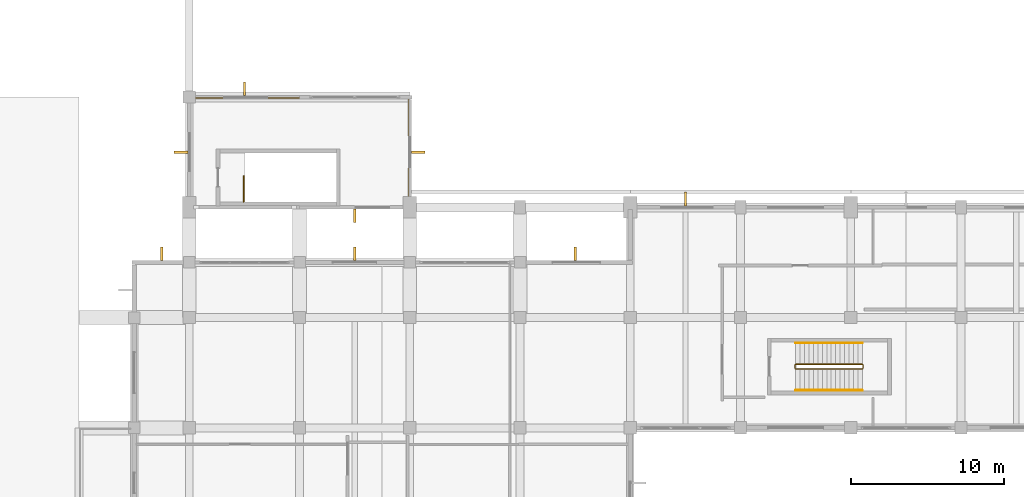
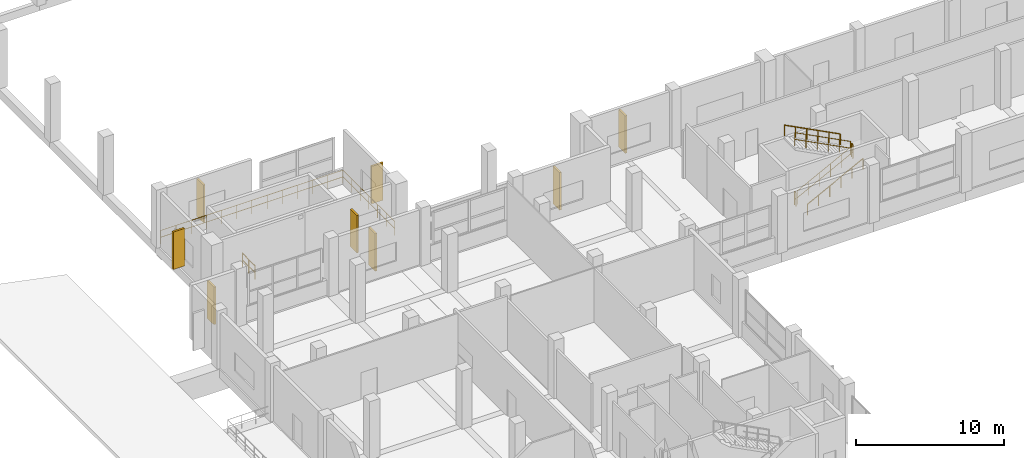
# One storey, part 138 of 140: 8 railings, 8 shading devices.
"""IFC4 building model written with IfcOpenShell, lengths in metres."""

from ifc_helpers import new_model, si_unit, direction, frame, origin, origin_2d, place, context, subcontext, project, spatial, rectangle, circle, extrude, material, type_object, element, save


model = new_model("IFC4")

# Units and contexts
model_context = context("Model", 3, precision=1e-05, world=origin(), true_north=direction((0.0, 1.0)))
body_context = subcontext(model_context, "Body", "Model", "MODEL_VIEW")
ifc_project = project(units=[si_unit("LENGTHUNIT", "METRE"), si_unit("AREAUNIT", "SQUARE_METRE"), si_unit("VOLUMEUNIT", "CUBIC_METRE"), si_unit("PLANEANGLEUNIT", "RADIAN"), si_unit("MASSUNIT", "GRAM", prefix="KILO")], contexts=[model_context])

# Site, building, storey
site_placement = place(None, origin())
site = spatial("IfcSite", under=ifc_project, at=site_placement, CompositionType="ELEMENT")
building_placement = place(site_placement, origin())
building = spatial("IfcBuilding", under=site, at=building_placement, Name="Seraya Terrace Polytechnic", CompositionType="ELEMENT")
storey_placement = place(building_placement, frame((0.0, 0.0, 9.60009765625)))
storey = spatial("IfcBuildingStorey", under=building, at=storey_placement, Name="L02", CompositionType="ELEMENT", Elevation=9.60009765625)

# Shading devices
ifc_material_1 = material(Name="Precast concrete C40/50", Category="concrete")
shading_device_type = type_object("IfcShadingDeviceType", Name="BS-F1", PredefinedType="JALOUSIE", material=ifc_material_1)
for number, where, z_axis, x_axis, name in (
    (1, (12.60009765625, 76.169921875, 0.449951171875), (0.0, 0.0, 1.0), (0.0, 1.0, 0.0), "Precast concrete brise-soleil fin L02"),
    (2, (25.199951171875, 76.169921875, 0.449951171875), (0.0, 0.0, 1.0), (0.0, 1.0, 0.0), "Precast concrete brise-soleil fin L02"),
    (3, (39.60009765625, 76.169921875, 0.449951171875), (0.0, 0.0, 1.0), (0.0, 1.0, 0.0), "Precast concrete brise-soleil fin L02"),
    (4, (46.800048828125, 79.75, 0.449951171875), (0.0, 0.0, 1.0), (0.0, 1.0, 0.0), "Precast concrete brise-soleil fin L02"),
    (5, (29.35009765625, 82.800048828125, 0.449951171875), (0.0, 0.0, 1.0), (1.0, 0.0, 0.0), "Precast concrete brise-soleil fin L02"),
    (6, (25.199951171875, 78.64990234375, 0.449951171875), (0.0, 0.0, 1.0), (0.0, -1.0, 0.0), "Precast concrete brise-soleil fin L02"),
    (7, (13.85009765625, 82.800048828125, 0.449951171875), (0.0, 0.0, 1.0), (-1.0, 0.0, 0.0), "Precast concrete brise-soleil fin L02"),
    (8, (18.0, 86.949951171875, 0.449951171875), (0.0, 0.0, 1.0), (0.0, 1.0, 0.0), "Precast concrete brise-soleil fin L02"),
):
    element("IfcShadingDevice", number, at=place(storey_placement, frame(where, z_axis=z_axis, x_axis=x_axis)), inside=storey, type_object=shading_device_type, Name=name, PredefinedType="JALOUSIE", context=body_context, shape_type="SweptSolid", body=[
        extrude(rectangle(XDim=0.89990234375, YDim=0.14990234375, at=origin_2d()), origin(), (0.0, 0.0, 1.0), 3.10009765625),
    ])

# Railings
ifc_material_2 = material(Name="Steel S355J2", Category="steel")
railing_type_1 = type_object("IfcRailingType", Name="GR-02", PredefinedType="GUARDRAIL", material=ifc_material_2)
railing_1_placement = place(storey_placement, frame((54.0, 68.64990234375, 0.14990234375)))
element("IfcRailing", 9, at=railing_1_placement, inside=storey, type_object=railing_type_1, Name="L02 ST-06 stair guard 1", PredefinedType="GUARDRAIL", context=body_context, shape_type="SweptSolid", body=[
    extrude(circle(Radius=0.02392578125, at=origin_2d()), frame((0.0, 0.0, 1.10595703125), z_axis=(0.888221851817, 0.0, 0.459414782038), x_axis=(0.0, 1.0, 0.0)), (0.0, 0.0, 1.0), 4.8974609375),
    extrude(circle(Radius=0.02392578125, at=origin_2d()), frame((0.0, 0.0, 0.550048828125), z_axis=(0.888221851817, 0.0, 0.459414782038), x_axis=(0.0, 1.0, 0.0)), (0.0, 0.0, 1.0), 4.8974609375),
    extrude(circle(Radius=0.02099609375, at=origin_2d()), origin(), (0.0, 0.0, 1.0), 1.081787109375),
    extrude(circle(Radius=0.02099609375, at=origin_2d()), frame((0.8701171875, 0.0, 0.449951171875)), (0.0, 0.0, 1.0), 1.081787109375),
    extrude(circle(Radius=0.02099609375, at=origin_2d()), frame((1.739990234375, 0.0, 0.89990234375)), (0.0, 0.0, 1.0), 1.081787109375),
    extrude(circle(Radius=0.02099609375, at=origin_2d()), frame((2.610107421875, 0.0, 1.35009765625)), (0.0, 0.0, 1.0), 1.081787109375),
    extrude(circle(Radius=0.02099609375, at=origin_2d()), frame((3.47998046875, 0.0, 1.800048828125)), (0.0, 0.0, 1.0), 1.081787109375),
    extrude(circle(Radius=0.02099609375, at=origin_2d()), frame((4.35009765625, 0.0, 2.25)), (0.0, 0.0, 1.0), 1.081787109375),
])
railing_2_placement = place(storey_placement, frame((58.39990234375, 68.699951171875, 2.39990234375)))
element("IfcRailing", 10, at=railing_2_placement, inside=storey, type_object=railing_type_1, Name="L02 ST-06 stair guard 2", PredefinedType="GUARDRAIL", context=body_context, shape_type="SweptSolid", body=[
    extrude(circle(Radius=0.02392578125, at=origin_2d()), frame((0.0, 0.0, 1.10595703125), z_axis=(0.0, 1.0, 0.0), x_axis=(-1.0, 0.0, 0.0)), (0.0, 0.0, 1.0), 0.199951171875),
    extrude(circle(Radius=0.02392578125, at=origin_2d()), frame((0.0, 0.0, 0.550048828125), z_axis=(0.0, 1.0, 0.0), x_axis=(-1.0, 0.0, 0.0)), (0.0, 0.0, 1.0), 0.199951171875),
    extrude(circle(Radius=0.02099609375, at=origin_2d()), origin(), (0.0, 0.0, 1.0), 1.081787109375),
    extrude(circle(Radius=0.02099609375, at=origin_2d()), frame((0.0, 0.199951171875, 0.0)), (0.0, 0.0, 1.0), 1.081787109375),
])
railing_3_placement = place(storey_placement, frame((58.35009765625, 68.949951171875, 2.5498046875)))
element("IfcRailing", 11, at=railing_3_placement, inside=storey, type_object=railing_type_1, Name="L02 ST-06 stair guard 3", PredefinedType="GUARDRAIL", context=body_context, shape_type="SweptSolid", body=[
    extrude(circle(Radius=0.02392578125, at=origin_2d()), frame((0.0, 0.0, 1.10595703125), z_axis=(-0.888221851817, 0.0, 0.459414782038), x_axis=(0.0, -1.0, 0.0)), (0.0, 0.0, 1.0), 4.8974609375),
    extrude(circle(Radius=0.02392578125, at=origin_2d()), frame((0.0, 0.0, 0.550048828125), z_axis=(-0.888221851817, 0.0, 0.459414782038), x_axis=(0.0, -1.0, 0.0)), (0.0, 0.0, 1.0), 4.8974609375),
    extrude(circle(Radius=0.02099609375, at=origin_2d()), origin(), (0.0, 0.0, 1.0), 1.081787109375),
    extrude(circle(Radius=0.02099609375, at=origin_2d()), frame((-0.8701171875, 0.0, 0.449951171875)), (0.0, 0.0, 1.0), 1.081787109375),
    extrude(circle(Radius=0.02099609375, at=origin_2d()), frame((-1.739990234375, 0.0, 0.89990234375)), (0.0, 0.0, 1.0), 1.081787109375),
    extrude(circle(Radius=0.02099609375, at=origin_2d()), frame((-2.610107421875, 0.0, 1.35009765625)), (0.0, 0.0, 1.0), 1.081787109375),
    extrude(circle(Radius=0.02099609375, at=origin_2d()), frame((-3.47998046875, 0.0, 1.800048828125)), (0.0, 0.0, 1.0), 1.081787109375),
    extrude(circle(Radius=0.02099609375, at=origin_2d()), frame((-4.35009765625, 0.0, 2.25)), (0.0, 0.0, 1.0), 1.081787109375),
])
railing_4_placement = place(storey_placement, frame((53.949951171875, 68.699951171875, 0.0)))
element("IfcRailing", 12, at=railing_4_placement, inside=storey, type_object=railing_type_1, Name="L02 ST-06 stair guard 4", PredefinedType="GUARDRAIL", context=body_context, shape_type="SweptSolid", body=[
    extrude(circle(Radius=0.02392578125, at=origin_2d()), frame((0.0, 0.0, 1.10595703125), z_axis=(0.0, 1.0, 0.0), x_axis=(-1.0, 0.0, 0.0)), (0.0, 0.0, 1.0), 0.199951171875),
    extrude(circle(Radius=0.02392578125, at=origin_2d()), frame((0.0, 0.0, 0.550048828125), z_axis=(0.0, 1.0, 0.0), x_axis=(-1.0, 0.0, 0.0)), (0.0, 0.0, 1.0), 0.199951171875),
    extrude(circle(Radius=0.02099609375, at=origin_2d()), origin(), (0.0, 0.0, 1.0), 1.081787109375),
    extrude(circle(Radius=0.02099609375, at=origin_2d()), frame((0.0, 0.199951171875, 0.0)), (0.0, 0.0, 1.0), 1.081787109375),
])
railing_5_placement = place(storey_placement, frame((17.949951171875, 79.550048828125, 0.0)))
element("IfcRailing", 13, at=railing_5_placement, inside=storey, type_object=railing_type_1, Name="L02 ST-07 top well guard 1", PredefinedType="GUARDRAIL", context=body_context, shape_type="SweptSolid", body=[
    extrude(circle(Radius=0.02392578125, at=origin_2d()), frame((0.0, 0.0, 1.10595703125), z_axis=(0.0, 1.0, 0.0), x_axis=(-1.0, 0.0, 0.0)), (0.0, 0.0, 1.0), 1.699951171875),
    extrude(circle(Radius=0.02392578125, at=origin_2d()), frame((0.0, 0.0, 0.550048828125), z_axis=(0.0, 1.0, 0.0), x_axis=(-1.0, 0.0, 0.0)), (0.0, 0.0, 1.0), 1.699951171875),
    extrude(circle(Radius=0.02099609375, at=origin_2d()), origin(), (0.0, 0.0, 1.0), 1.081787109375),
    extrude(circle(Radius=0.02099609375, at=origin_2d()), frame((0.0, 0.85009765625, 0.0)), (0.0, 0.0, 1.0), 1.081787109375),
    extrude(circle(Radius=0.02099609375, at=origin_2d()), frame((0.0, 1.699951171875, 0.0)), (0.0, 0.0, 1.0), 1.081787109375),
])
railing_6_placement = place(storey_placement, frame((14.52001953125, 86.340087890625, 0.0)))
element("IfcRailing", 14, at=railing_6_placement, inside=storey, type_object=railing_type_1, Name="Workshop L02 west metrology gallery guardrail", PredefinedType="GUARDRAIL", context=body_context, shape_type="SweptSolid", body=[
    extrude(circle(Radius=0.02392578125, at=origin_2d()), frame((0.0, 0.0, 1.10595703125), z_axis=(1.0, 0.0, 0.0), x_axis=(0.0, 1.0, 0.0)), (0.0, 0.0, 1.0), 14.219970703125),
    extrude(circle(Radius=0.02392578125, at=origin_2d()), frame((0.0, 0.0, 0.550048828125), z_axis=(1.0, 0.0, 0.0), x_axis=(0.0, 1.0, 0.0)), (0.0, 0.0, 1.0), 14.219970703125),
    extrude(circle(Radius=0.02392578125, at=origin_2d()), frame((14.219970703125, 0.0, 1.10595703125), z_axis=(0.0, -1.0, 0.0), x_axis=(1.0, 0.0, 0.0)), (0.0, 0.0, 1.0), 7.02001953125),
    extrude(circle(Radius=0.02392578125, at=origin_2d()), frame((14.219970703125, 0.0, 0.550048828125), z_axis=(0.0, -1.0, 0.0), x_axis=(1.0, 0.0, 0.0)), (0.0, 0.0, 1.0), 7.02001953125),
    extrude(circle(Radius=0.02099609375, at=origin_2d()), origin(), (0.0, 0.0, 1.0), 1.081787109375),
    extrude(circle(Radius=0.02099609375, at=origin_2d()), frame((1.18505859375, 0.0, 0.0)), (0.0, 0.0, 1.0), 1.081787109375),
    extrude(circle(Radius=0.02099609375, at=origin_2d()), frame((2.3701171875, 0.0, 0.0)), (0.0, 0.0, 1.0), 1.081787109375),
    extrude(circle(Radius=0.02099609375, at=origin_2d()), frame((3.554931640625, 0.0, 0.0)), (0.0, 0.0, 1.0), 1.081787109375),
    extrude(circle(Radius=0.02099609375, at=origin_2d()), frame((4.739990234375, 0.0, 0.0)), (0.0, 0.0, 1.0), 1.081787109375),
    extrude(circle(Radius=0.02099609375, at=origin_2d()), frame((5.925048828125, 0.0, 0.0)), (0.0, 0.0, 1.0), 1.081787109375),
    extrude(circle(Radius=0.02099609375, at=origin_2d()), frame((7.10986328125, 0.0, 0.0)), (0.0, 0.0, 1.0), 1.081787109375),
    extrude(circle(Radius=0.02099609375, at=origin_2d()), frame((8.294921875, 0.0, 0.0)), (0.0, 0.0, 1.0), 1.081787109375),
    extrude(circle(Radius=0.02099609375, at=origin_2d()), frame((9.47998046875, 0.0, 0.0)), (0.0, 0.0, 1.0), 1.081787109375),
    extrude(circle(Radius=0.02099609375, at=origin_2d()), frame((10.6650390625, 0.0, 0.0)), (0.0, 0.0, 1.0), 1.081787109375),
    extrude(circle(Radius=0.02099609375, at=origin_2d()), frame((11.85009765625, 0.0, 0.0)), (0.0, 0.0, 1.0), 1.081787109375),
    extrude(circle(Radius=0.02099609375, at=origin_2d()), frame((13.034912109375, 0.0, 0.0)), (0.0, 0.0, 1.0), 1.081787109375),
    extrude(circle(Radius=0.02099609375, at=origin_2d()), frame((14.219970703125, 0.0, 0.0)), (0.0, 0.0, 1.0), 1.081787109375),
    extrude(circle(Radius=0.02099609375, at=origin_2d()), frame((14.219970703125, -1.169921875, 0.0)), (0.0, 0.0, 1.0), 1.081787109375),
    extrude(circle(Radius=0.02099609375, at=origin_2d()), frame((14.219970703125, -2.340087890625, 0.0)), (0.0, 0.0, 1.0), 1.081787109375),
    extrude(circle(Radius=0.02099609375, at=origin_2d()), frame((14.219970703125, -3.510009765625, 0.0)), (0.0, 0.0, 1.0), 1.081787109375),
    extrude(circle(Radius=0.02099609375, at=origin_2d()), frame((14.219970703125, -4.679931640625, 0.0)), (0.0, 0.0, 1.0), 1.081787109375),
    extrude(circle(Radius=0.02099609375, at=origin_2d()), frame((14.219970703125, -5.85009765625, 0.0)), (0.0, 0.0, 1.0), 1.081787109375),
    extrude(circle(Radius=0.02099609375, at=origin_2d()), frame((14.219970703125, -7.02001953125, 0.0)), (0.0, 0.0, 1.0), 1.081787109375),
])
railing_type_2 = type_object("IfcRailingType", Name="HR-01", PredefinedType="HANDRAIL", material=ifc_material_2)
railing_7_placement = place(storey_placement, frame((54.0, 67.25, 0.14990234375)))
element("IfcRailing", 15, at=railing_7_placement, inside=storey, type_object=railing_type_2, Name="L02 ST-06 stair handrail 1", PredefinedType="HANDRAIL", context=body_context, shape_type="SweptSolid", body=[
    extrude(circle(Radius=0.02392578125, at=origin_2d()), frame((0.0, 0.0, 0.8759765625), z_axis=(0.888221851817, 0.0, 0.459414782038), x_axis=(0.0, 1.0, 0.0)), (0.0, 0.0, 1.0), 4.8974609375),
    extrude(circle(Radius=0.02099609375, at=origin_2d()), origin(), (0.0, 0.0, 1.0), 0.851806640625),
    extrude(circle(Radius=0.02099609375, at=origin_2d()), frame((0.8701171875, 0.0, 0.449951171875)), (0.0, 0.0, 1.0), 0.851806640625),
    extrude(circle(Radius=0.02099609375, at=origin_2d()), frame((1.739990234375, 0.0, 0.89990234375)), (0.0, 0.0, 1.0), 0.851806640625),
    extrude(circle(Radius=0.02099609375, at=origin_2d()), frame((2.610107421875, 0.0, 1.35009765625)), (0.0, 0.0, 1.0), 0.851806640625),
    extrude(circle(Radius=0.02099609375, at=origin_2d()), frame((3.47998046875, 0.0, 1.800048828125)), (0.0, 0.0, 1.0), 0.851806640625),
    extrude(circle(Radius=0.02099609375, at=origin_2d()), frame((4.35009765625, 0.0, 2.25)), (0.0, 0.0, 1.0), 0.851806640625),
])
railing_8_placement = place(storey_placement, frame((58.35009765625, 70.35009765625, 2.5498046875)))
element("IfcRailing", 16, at=railing_8_placement, inside=storey, type_object=railing_type_2, Name="L02 ST-06 stair handrail 2", PredefinedType="HANDRAIL", context=body_context, shape_type="SweptSolid", body=[
    extrude(circle(Radius=0.02392578125, at=origin_2d()), frame((0.0, 0.0, 0.8759765625), z_axis=(-0.888221851817, 0.0, 0.459414782038), x_axis=(0.0, -1.0, 0.0)), (0.0, 0.0, 1.0), 4.8974609375),
    extrude(circle(Radius=0.02099609375, at=origin_2d()), origin(), (0.0, 0.0, 1.0), 0.851806640625),
    extrude(circle(Radius=0.02099609375, at=origin_2d()), frame((-0.8701171875, 0.0, 0.449951171875)), (0.0, 0.0, 1.0), 0.851806640625),
    extrude(circle(Radius=0.02099609375, at=origin_2d()), frame((-1.739990234375, 0.0, 0.89990234375)), (0.0, 0.0, 1.0), 0.851806640625),
    extrude(circle(Radius=0.02099609375, at=origin_2d()), frame((-2.610107421875, 0.0, 1.35009765625)), (0.0, 0.0, 1.0), 0.851806640625),
    extrude(circle(Radius=0.02099609375, at=origin_2d()), frame((-3.47998046875, 0.0, 1.800048828125)), (0.0, 0.0, 1.0), 0.851806640625),
    extrude(circle(Radius=0.02099609375, at=origin_2d()), frame((-4.35009765625, 0.0, 2.25)), (0.0, 0.0, 1.0), 0.851806640625),
])

save(model, "model.ifc")
